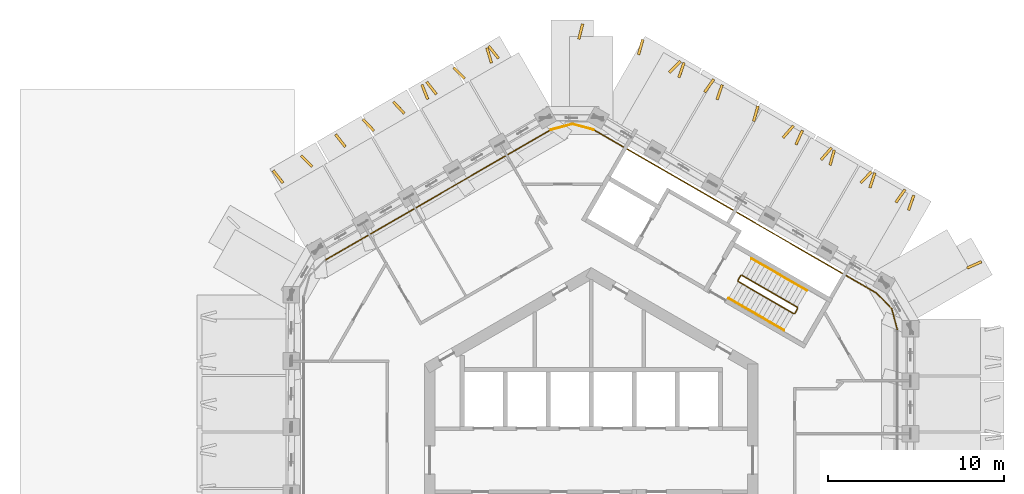
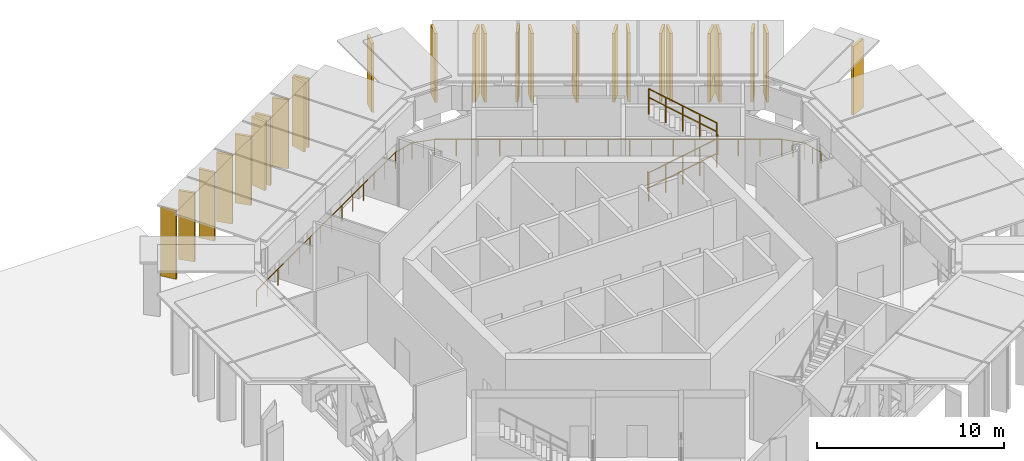
# One storey, part 15 of 15: 26 shading devices, 12 railings.
"""IFC4 building model written with IfcOpenShell, lengths in metres."""

from ifc_helpers import new_model, si_unit, direction, frame, origin, origin_2d, place, context, subcontext, project, spatial, polyline, circle, outline, extrude, material, layer, layer_set, type_object, element, save


model = new_model("IFC4")

# Units and contexts
model_context = context("Model", 3, precision=1e-05, world=origin(), true_north=direction((0.0, 1.0)))
body_context = subcontext(model_context, "Body", "Model", "MODEL_VIEW")
ifc_project = project(units=[si_unit("LENGTHUNIT", "METRE"), si_unit("AREAUNIT", "SQUARE_METRE"), si_unit("VOLUMEUNIT", "CUBIC_METRE"), si_unit("PLANEANGLEUNIT", "RADIAN"), si_unit("MASSUNIT", "GRAM", prefix="KILO")], contexts=[model_context])

# Site, building, storey
site_placement = place(None, origin())
site = spatial("IfcSite", under=ifc_project, at=site_placement, CompositionType="ELEMENT")
building_placement = place(site_placement, origin())
building = spatial("IfcBuilding", under=site, at=building_placement, Name="Ayvan Gate Tower", CompositionType="ELEMENT")
storey_placement = place(building_placement, frame((0.0, 0.0, 214.10009765625)))
storey = spatial("IfcBuildingStorey", under=building, at=storey_placement, Name="L57", CompositionType="ELEMENT", Elevation=214.10009765625)

# Shading devices
ifc_material_1 = material(Name="Bronze anodised aluminium", Category="aluminium")
ifc_layer = layer(ifc_material_1, 0.14990234375)
ifc_layer_set = layer_set([ifc_layer], Name="Bronze anodised aluminium")
shading_device_type = type_object("IfcShadingDeviceType", Name="Bronze fin 900 x 150", PredefinedType="USERDEFINED", material=ifc_layer_set)
shading_device_1_placement = place(storey_placement, frame((-5.21484375, 22.919921875, 0.0), z_axis=(0.784455451683, 0.620185081289, 0.00033056234), x_axis=(-0.62018511518, 0.784455494537, 2.7812e-08)))
element("IfcShadingDevice", 1, at=shading_device_1_placement, inside=storey, type_object=shading_device_type, Name="Bronze fin FG21.1.1", ObjectType="FIN", PredefinedType="USERDEFINED", context=body_context, shape_type="SweptSolid", body=[
    extrude(outline(polyline([(0.0, 0.0), (0.8998056660175114, 2.710505431213761e-20), (0.8999883007166235, 4.500000220830113), (-8.882755608752287e-06, 4.50000027088667), (0.0, 0.0)])), origin(), (0.0, 0.0, -1.0), 0.14990234375),
])
shading_device_2_placement = place(storey_placement, frame((-5.6025390625, 22.635498046875, 0.0), z_axis=(0.957613207125, 0.28805699645, 0.000335165188), x_axis=(-0.288057012625, 0.957613260913, -1.3092e-08)))
element("IfcShadingDevice", 2, at=shading_device_2_placement, inside=storey, type_object=shading_device_type, Name="Bronze fin FG21.1.2", ObjectType="FIN", PredefinedType="USERDEFINED", context=body_context, shape_type="SweptSolid", body=[
    extrude(outline(polyline([(0.0, 0.0), (0.9002072684798921, 0.0), (0.900161583480577, 4.500000264540239), (0.00018810730071271395, 4.500000240972332), (0.0, 0.0)])), origin(), (0.0, 0.0, -1.0), 0.14990234375),
])
shading_device_3_placement = place(storey_placement, frame((-7.149169921875, 21.772216796875, 0.0), z_axis=(0.707174545949, 0.707038916001, 0.000364446617), x_axis=(-0.707038962965, 0.707174592904, 3.4952e-08)))
element("IfcShadingDevice", 3, at=shading_device_3_placement, inside=storey, type_object=shading_device_type, Name="Bronze fin FG21.1.3", ObjectType="FIN", PredefinedType="USERDEFINED", context=body_context, shape_type="SweptSolid", body=[
    extrude(outline(polyline([(0.0, 0.0), (0.9001110205447487, 2.710505431213761e-20), (0.8999383953314426, 4.500000267393211), (-8.278988403593121e-09, 4.500000330308903), (0.0, 0.0)])), origin(), (0.0, 0.0, -1.0), 0.14990234375),
])
shading_device_4_placement = place(storey_placement, frame((-8.751953125, 20.878662109375, 0.0), z_axis=(0.788262791594, 0.615338658889, 0.000325984006), x_axis=(-0.615338691574, 0.788262833483, -3.4854e-08)))
element("IfcShadingDevice", 4, at=shading_device_4_placement, inside=storey, type_object=shading_device_type, Name="Bronze fin FG21.1.5", ObjectType="FIN", PredefinedType="USERDEFINED", context=body_context, shape_type="SweptSolid", body=[
    extrude(outline(polyline([(0.0, 0.0), (0.8999706900864052, 0.0), (0.899951891185126, 4.5000002704642235), (-0.0001690280740268505, 4.50000020772435), (0.0, 0.0)])), origin(), (0.0, 0.0, -1.0), 0.14990234375),
])
shading_device_5_placement = place(storey_placement, frame((-9.2333984375, 20.573974609375, 0.0), z_axis=(0.930095416825, 0.367317834149, 0.000352586105), x_axis=(-0.367317856976, 0.930095474641, -1.7565e-08)))
element("IfcShadingDevice", 5, at=shading_device_5_placement, inside=storey, type_object=shading_device_type, Name="Bronze fin FG21.1.6", ObjectType="FIN", PredefinedType="USERDEFINED", context=body_context, shape_type="SweptSolid", body=[
    extrude(outline(polyline([(0.0, 0.0), (0.9000600002166624, 0.0), (0.899916762170179, 4.5000002955201435), (8.383604400504329e-05, 4.500000263905193), (0.0, 0.0)])), origin(), (0.0, 0.0, -1.0), 0.14990234375),
])
shading_device_6_placement = place(storey_placement, frame((-10.58837890625, 19.797119140625, 0.0), z_axis=(0.729067459009, 0.684441748495, 0.000364872242), x_axis=(-0.684441794046, 0.729067507548, -3.3871e-08)))
element("IfcShadingDevice", 6, at=shading_device_6_placement, inside=storey, type_object=shading_device_type, Name="Bronze fin FG21.1.7", ObjectType="FIN", PredefinedType="USERDEFINED", context=body_context, shape_type="SweptSolid", body=[
    extrude(outline(polyline([(0.0, 0.0), (0.9000439713546455, -2.710505431213761e-20), (0.8999893441887525, 4.500000330029712), (0.00012336783106708016, 4.5000002690655725), (0.0, 0.0)])), origin(), (0.0, 0.0, -1.0), 0.14990234375),
])
shading_device_7_placement = place(storey_placement, frame((-12.317138671875, 18.799072265625, 0.0), z_axis=(0.729131006021, 0.684374080429, 0.000306750236), x_axis=(-0.684374112627, 0.729131040325, 0.0)))
element("IfcShadingDevice", 7, at=shading_device_7_placement, inside=storey, type_object=shading_device_type, Name="Bronze fin FG21.1.9", ObjectType="FIN", PredefinedType="USERDEFINED", context=body_context, shape_type="SweptSolid", body=[
    extrude(outline(polyline([(0.0, 0.0), (0.9000439752325704, 0.0), (0.9000002672953646, 4.5000002117153555), (-4.370793720561556e-05, 4.5000002117153555), (0.0, 0.0)])), origin(), (0.0, 0.0, -1.0), 0.14990234375),
])
shading_device_8_placement = place(storey_placement, frame((-13.9375, 17.884765625, 0.0), z_axis=(0.788145633822, 0.615488708705, 0.000330671585), x_axis=(-0.615488742362, 0.788145676906, 2.7607e-08)))
element("IfcShadingDevice", 8, at=shading_device_8_placement, inside=storey, type_object=shading_device_type, Name="Bronze fin FG21.1.11", ObjectType="FIN", PredefinedType="USERDEFINED", context=body_context, shape_type="SweptSolid", body=[
    extrude(outline(polyline([(0.0, 0.0), (0.8999285028885147, -2.710505431213761e-20), (0.9001027010167089, 4.500000221174214), (-1.8220249956654114e-05, 4.500000270868159), (0.0, 0.0)])), origin(), (0.0, 0.0, -1.0), 0.14990234375),
])
shading_device_9_placement = place(storey_placement, frame((-15.8271484375, 16.761962890625, 0.0), z_axis=(0.707174555315, 0.707038925366, 0.000326087305), x_axis=(-0.707038962949, 0.70717459292, -3.1279e-08)))
element("IfcShadingDevice", 9, at=shading_device_9_placement, inside=storey, type_object=shading_device_type, Name="Bronze fin FG21.1.13", ObjectType="FIN", PredefinedType="USERDEFINED", context=body_context, shape_type="SweptSolid", body=[
    extrude(outline(polyline([(0.0, 0.0), (0.899938403610433, 0.0), (0.900110747336506, 4.5000002674039985), (-2.7320824071239083e-07, 4.500000211099611), (0.0, 0.0)])), origin(), (0.0, 0.0, -1.0), 0.14990234375),
])
shading_device_10_placement = place(storey_placement, frame((-17.48974609375, 15.8330078125, 0.0), z_axis=(0.784455451683, 0.620185081289, 0.00033056234), x_axis=(-0.62018511518, 0.784455494537, 2.7812e-08)))
element("IfcShadingDevice", 10, at=shading_device_10_placement, inside=storey, type_object=shading_device_type, Name="Bronze fin FG21.1.15", ObjectType="FIN", PredefinedType="USERDEFINED", context=body_context, shape_type="SweptSolid", body=[
    extrude(outline(polyline([(0.0, 0.0), (0.8998056660175114, 2.710505431213761e-20), (0.8999883007166235, 4.500000220830113), (-8.882755608752287e-06, 4.50000027088667), (0.0, 0.0)])), origin(), (0.0, 0.0, -1.0), 0.14990234375),
])
shading_device_11_placement = place(storey_placement, frame((21.435546875, 10.8662109375, 0.0), z_axis=(0.404060901373, -0.9147320305, 0.000316794052), x_axis=(0.914732076406, 0.404060921637, -3.9307e-08)))
element("IfcShadingDevice", 11, at=shading_device_11_placement, inside=storey, type_object=shading_device_type, Name="Bronze fin FG21.10.80", ObjectType="FIN", PredefinedType="USERDEFINED", context=body_context, shape_type="SweptSolid", body=[
    extrude(outline(polyline([(0.0, 0.0), (0.8999324399312015, -1.3552527156068805e-20), (0.9000775026432274, 4.500000261186023), (4.64150260793859e-05, 4.5000001904346645), (0.0, 0.0)])), origin(), (0.0, 0.0, -1.0), 0.14990234375),
])
shading_device_12_placement = place(storey_placement, frame((18.14892578125, 14.205322265625, 0.0), z_axis=(0.945308057288, -0.326178748605, 0.000317467004), x_axis=(0.32617876503, 0.945308104929, 4.0704e-08)))
element("IfcShadingDevice", 12, at=shading_device_12_placement, inside=storey, type_object=shading_device_type, Name="Bronze fin FG21.11.81", ObjectType="FIN", PredefinedType="USERDEFINED", context=body_context, shape_type="SweptSolid", body=[
    extrude(outline(polyline([(0.0, 0.0), (0.9000160208110022, -1.3552527156068805e-20), (0.9000796127620871, 4.500000190130549), (-1.604153647109675e-05, 4.5000002634014), (0.0, 0.0)])), origin(), (0.0, 0.0, -1.0), 0.14990234375),
])
shading_device_13_placement = place(storey_placement, frame((17.415283203125, 14.62841796875, 0.0), z_axis=(0.815853820737, -0.578258093687, 0.000346804551), x_axis=(0.578258128462, 0.8158538698, 0.0)))
element("IfcShadingDevice", 13, at=shading_device_13_placement, inside=storey, type_object=shading_device_type, Name="Bronze fin FG21.11.82", ObjectType="FIN", PredefinedType="USERDEFINED", context=body_context, shape_type="SweptSolid", body=[
    extrude(outline(polyline([(0.0, 0.0), (0.90013055914047, 2.710505431213761e-20), (0.9002214099307265, 4.500000270615168), (9.085079025638774e-05, 4.500000270615168), (0.0, 0.0)])), origin(), (0.0, 0.0, -1.0), 0.14990234375),
])
shading_device_14_placement = place(storey_placement, frame((15.942138671875, 15.47900390625, 0.0), z_axis=(0.945991063191, -0.324192520939, 0.000343116939), x_axis=(0.324192540022, 0.945991118877, 0.0)))
element("IfcShadingDevice", 14, at=shading_device_14_placement, inside=storey, type_object=shading_device_type, Name="Bronze fin FG21.11.83", ObjectType="FIN", PredefinedType="USERDEFINED", context=body_context, shape_type="SweptSolid", body=[
    extrude(outline(polyline([(0.0, 0.0), (0.8999221476685185, -1.3552527156068805e-20), (0.8999091659784844, 4.500000264890801), (-1.298169003423593e-05, 4.500000264890801), (0.0, 0.0)])), origin(), (0.0, 0.0, -1.0), 0.14990234375),
])
shading_device_15_placement = place(storey_placement, frame((15.396728515625, 15.732177734375, 0.0), z_axis=(0.712376878809, -0.701797024173, 0.000345544297), x_axis=(0.70179706607, 0.712376921338, 0.0)))
element("IfcShadingDevice", 15, at=shading_device_15_placement, inside=storey, type_object=shading_device_type, Name="Bronze fin FG21.11.84", ObjectType="FIN", PredefinedType="USERDEFINED", context=body_context, shape_type="SweptSolid", body=[
    extrude(outline(polyline([(0.0, 0.0), (0.8999635755267725, 5.421010862427522e-20), (0.8998025702423484, 4.500000268651962), (-0.00016100528442405186, 4.500000268651962), (0.0, 0.0)])), origin(), (0.0, 0.0, -1.0), 0.14990234375),
])
shading_device_16_placement = place(storey_placement, frame((13.677490234375, 16.7685546875, 0.0), z_axis=(0.963574180146, -0.267440996939, 0.000335427874), x_axis=(0.26744101198, 0.963574234354, 1.2164e-08)))
element("IfcShadingDevice", 16, at=shading_device_16_placement, inside=storey, type_object=shading_device_type, Name="Bronze fin FG21.11.85", ObjectType="FIN", PredefinedType="USERDEFINED", context=body_context, shape_type="SweptSolid", body=[
    extrude(outline(polyline([(0.0, 0.0), (0.9002138897637795, 0.0), (0.9000574328245955, 4.500000242203026), (7.879067662512824e-05, 4.500000264101328), (0.0, 0.0)])), origin(), (0.0, 0.0, -1.0), 0.14990234375),
])
shading_device_17_placement = place(storey_placement, frame((13.15673828125, 17.054931640625, 0.0), z_axis=(0.755577136433, -0.655059603561, 0.000326624106), x_axis=(0.655059638511, 0.755577176729, -3.3474e-08)))
element("IfcShadingDevice", 17, at=shading_device_17_placement, inside=storey, type_object=shading_device_type, Name="Bronze fin FG21.11.86", ObjectType="FIN", PredefinedType="USERDEFINED", context=body_context, shape_type="SweptSolid", body=[
    extrude(outline(polyline([(0.0, 0.0), (0.8999637363756005, 2.710505431213761e-20), (0.8999018207299058, 4.500000270161087), (9.801102386350768e-05, 4.5000002099150445), (0.0, 0.0)])), origin(), (0.0, 0.0, -1.0), 0.14990234375),
])
shading_device_18_placement = place(storey_placement, frame((11.726318359375, 17.92919921875, 0.0), z_axis=(0.908419328227, -0.418060082066, 0.000303127542), x_axis=(0.418060101268, 0.908419369965, 1.7188e-08)))
element("IfcShadingDevice", 18, at=shading_device_18_placement, inside=storey, type_object=shading_device_type, Name="Bronze fin FG21.11.87", ObjectType="FIN", PredefinedType="USERDEFINED", context=body_context, shape_type="SweptSolid", body=[
    extrude(outline(polyline([(0.0, 0.0), (0.9000310268718525, -1.3552527156068805e-20), (0.899964341089743, 4.500000191275926), (0.00015509629063580402, 4.500000222210963), (0.0, 0.0)])), origin(), (0.0, 0.0, -1.0), 0.14990234375),
])
shading_device_19_placement = place(storey_placement, frame((10.985107421875, 18.308349609375, 0.0), z_axis=(0.75494118414, -0.655792422802, 0.000326627877), x_axis=(0.655792457792, 0.754941224403, -3.3442e-08)))
element("IfcShadingDevice", 19, at=shading_device_19_placement, inside=storey, type_object=shading_device_type, Name="Bronze fin FG21.11.88", ObjectType="FIN", PredefinedType="USERDEFINED", context=body_context, shape_type="SweptSolid", body=[
    extrude(outline(polyline([(0.0, 0.0), (0.900075095325843, 0.0), (0.9000116642218382, 4.500000270141573), (9.667447651077346e-05, 4.500000209945548), (0.0, 0.0)])), origin(), (0.0, 0.0, -1.0), 0.14990234375),
])
shading_device_20_placement = place(storey_placement, frame((9.331298828125, 19.27783203125, 0.0), z_axis=(0.963644050219, -0.267189131447, 0.000335430121), x_axis=(0.267189146482, 0.96364410443, -1.2157e-08)))
element("IfcShadingDevice", 20, at=shading_device_20_placement, inside=storey, type_object=shading_device_type, Name="Bronze fin FG21.11.89", ObjectType="FIN", PredefinedType="USERDEFINED", context=body_context, shape_type="SweptSolid", body=[
    extrude(outline(polyline([(0.0, 0.0), (0.8999133711472782, -1.3552527156068805e-20), (0.8999924554368754, 4.5000002640964), (-0.00015618038433584178, 4.500000242212854), (0.0, 0.0)])), origin(), (0.0, 0.0, -1.0), 0.14990234375),
])
shading_device_21_placement = place(storey_placement, frame((7.2431640625, 20.50146484375, 0.0), z_axis=(0.9457959629, -0.324761264369, 0.000343115142), x_axis=(0.324761283486, 0.945796018573, 0.0)))
element("IfcShadingDevice", 21, at=shading_device_21_placement, inside=storey, type_object=shading_device_type, Name="Bronze fin FG21.11.91", ObjectType="FIN", PredefinedType="USERDEFINED", context=body_context, shape_type="SweptSolid", body=[
    extrude(outline(polyline([(0.0, 0.0), (0.8998496526069817, 0.0), (0.8998357425328193, 4.500000264888026), (-1.3910074162465618e-05, 4.500000264888026), (0.0, 0.0)])), origin(), (0.0, 0.0, -1.0), 0.14990234375),
])
shading_device_22_placement = place(storey_placement, frame((6.52880859375, 20.91357421875, 0.0), z_axis=(0.81524271022, -0.57911934331, 0.000331116062), x_axis=(0.57911937505, 0.815242754915, 2.6004e-08)))
element("IfcShadingDevice", 22, at=shading_device_22_placement, inside=storey, type_object=shading_device_type, Name="Bronze fin FG21.11.92", ObjectType="FIN", PredefinedType="USERDEFINED", context=body_context, shape_type="SweptSolid", body=[
    extrude(outline(polyline([(0.0, 0.0), (0.9001561491715795, -2.710505431213761e-20), (0.9000464349859418, 4.500000223280348), (8.931969007407262e-05, 4.500000270090535), (0.0, 0.0)])), origin(), (0.0, 0.0, -1.0), 0.14990234375),
])
shading_device_23_placement = place(storey_placement, frame((5.067138671875, 21.758544921875, 0.0), z_axis=(0.944831113712, -0.327557728914, 0.000317474315), x_axis=(0.327557745409, 0.944831161331, 4.0687e-08)))
element("IfcShadingDevice", 23, at=shading_device_23_placement, inside=storey, type_object=shading_device_type, Name="Bronze fin FG21.11.93", ObjectType="FIN", PredefinedType="USERDEFINED", context=body_context, shape_type="SweptSolid", body=[
    extrude(outline(polyline([(0.0, 0.0), (0.8999534017640209, 0.0), (0.9000150774313729, 4.5000001901587146), (-1.8294485335861484e-05, 4.500000263394299), (0.0, 0.0)])), origin(), (0.0, 0.0, -1.0), 0.14990234375),
])
shading_device_24_placement = place(storey_placement, frame((4.5078125, 22.019287109375, 0.0), z_axis=(0.713250734432, -0.700908879168, 0.000364601976), x_axis=(0.700908925747, 0.713250781849, 3.4656e-08)))
element("IfcShadingDevice", 24, at=shading_device_24_placement, inside=storey, type_object=shading_device_type, Name="Bronze fin FG21.11.94", ObjectType="FIN", PredefinedType="USERDEFINED", context=body_context, shape_type="SweptSolid", body=[
    extrude(outline(polyline([(0.0, 0.0), (0.9001460499006525, 5.421010862427522e-20), (0.8999871381030228, 4.500000267912985), (1.5221694032719294e-05, 4.500000330297765), (0.0, 0.0)])), origin(), (0.0, 0.0, -1.0), 0.14990234375),
])
shading_device_25_placement = place(storey_placement, frame((2.7734375, 23.06396484375, 0.0), z_axis=(0.963783623165, -0.266685236192, 0.000335434548), x_axis=(0.266685251199, 0.963783677385, -1.2136e-08)))
element("IfcShadingDevice", 25, at=shading_device_25_placement, inside=storey, type_object=shading_device_type, Name="Bronze fin FG21.11.95", ObjectType="FIN", PredefinedType="USERDEFINED", context=body_context, shape_type="SweptSolid", body=[
    extrude(outline(polyline([(0.0, 0.0), (0.8997830136715362, -1.3552527156068805e-20), (0.8998629043343878, 4.500000264082603), (-0.00015540808650987064, 4.500000242240039), (0.0, 0.0)])), origin(), (0.0, 0.0, -1.0), 0.14990234375),
])
shading_device_26_placement = place(storey_placement, frame((-0.631103515625, 23.94921875, 0.0), z_axis=(0.969468578199, -0.245215331475, 0.000342189786), x_axis=(0.245215345832, 0.969468634959, 0.0)))
element("IfcShadingDevice", 26, at=shading_device_26_placement, inside=storey, type_object=shading_device_type, Name="Bronze fin FG21.12.96", ObjectType="FIN", PredefinedType="USERDEFINED", context=body_context, shape_type="SweptSolid", body=[
    extrude(outline(polyline([(0.0, 0.0), (0.9000379819272869, -1.3552527156068805e-20), (0.9001521531174546, 4.500000263461184), (0.00011417119016770025, 4.500000263461184), (0.0, 0.0)])), origin(), (0.0, 0.0, -1.0), 0.14990234375),
])

# Railings
ifc_material_2 = material(Name="Stainless steel balustrade", Category="steel")
railing_type_1 = type_object("IfcRailingType", Name="RL-GUARD-1100", PredefinedType="GUARDRAIL", material=ifc_material_2)
railing_1_placement = place(storey_placement, frame((8.381103515625, 10.16650390625, 0.17138671875)))
element("IfcRailing", 27, at=railing_1_placement, inside=storey, type_object=railing_type_1, Name="L57 STS1 stair guard 1", PredefinedType="GUARDRAIL", context=body_context, shape_type="SweptSolid", body=[
    extrude(circle(Radius=0.02392578125, at=origin_2d()), frame((0.0, 0.0, 1.076171875), z_axis=(0.738592093898, -0.426440834883, 0.522139764025), x_axis=(0.500012742938, 0.866018046521, 0.0)), (0.0, 0.0, 1.0), 4.26806640625),
    extrude(circle(Radius=0.02099609375, at=origin_2d()), origin(), (0.0, 0.0, 1.0), 1.052001953125),
    extrude(circle(Radius=0.02099609375, at=origin_2d()), frame((0.7880859375, -0.455078125, 0.55712890625)), (0.0, 0.0, 1.0), 1.052001953125),
    extrude(circle(Radius=0.02099609375, at=origin_2d()), frame((1.576171875, -0.91015625, 1.1142578125)), (0.0, 0.0, 1.0), 1.052001953125),
    extrude(circle(Radius=0.02099609375, at=origin_2d()), frame((2.3642578125, -1.364990234375, 1.67138671875)), (0.0, 0.0, 1.0), 1.052001953125),
    extrude(circle(Radius=0.02099609375, at=origin_2d()), frame((3.15234375, -1.820068359375, 2.228515625)), (0.0, 0.0, 1.0), 1.052001953125),
])
railing_2_placement = place(storey_placement, frame((11.601806640625, 8.36474609375, 2.39990234375)))
element("IfcRailing", 28, at=railing_2_placement, inside=storey, type_object=railing_type_1, Name="L57 STS1 stair guard 2", PredefinedType="GUARDRAIL", context=body_context, shape_type="SweptSolid", body=[
    extrude(circle(Radius=0.02392578125, at=origin_2d()), frame((0.0, 0.0, 1.076171875), z_axis=(0.499949632511, 0.866054481515, 0.0), x_axis=(-0.866054481515, 0.499949632511, 0.0)), (0.0, 0.0, 1.0), 0.31005859375),
    extrude(circle(Radius=0.02099609375, at=origin_2d()), origin(), (0.0, 0.0, 1.0), 1.052001953125),
    extrude(circle(Radius=0.02099609375, at=origin_2d()), frame((0.155029296875, 0.2685546875, 0.0)), (0.0, 0.0, 1.0), 1.052001953125),
])
railing_3_placement = place(storey_placement, frame((11.738525390625, 8.70166015625, 2.5712890625)))
element("IfcRailing", 29, at=railing_3_placement, inside=storey, type_object=railing_type_1, Name="L57 STS1 stair guard 3", PredefinedType="GUARDRAIL", context=body_context, shape_type="SweptSolid", body=[
    extrude(circle(Radius=0.02392578125, at=origin_2d()), frame((0.0, 0.0, 1.076171875), z_axis=(-0.738610110021, 0.426394033464, 0.52215250033), x_axis=(-0.499962438169, -0.866047089031, 0.0)), (0.0, 0.0, 1.0), 4.267822265625),
    extrude(circle(Radius=0.02099609375, at=origin_2d()), origin(), (0.0, 0.0, 1.0), 1.052001953125),
    extrude(circle(Radius=0.02099609375, at=origin_2d()), frame((-0.7880859375, 0.455078125, 0.55712890625)), (0.0, 0.0, 1.0), 1.052001953125),
    extrude(circle(Radius=0.02099609375, at=origin_2d()), frame((-1.576171875, 0.909912109375, 1.1142578125)), (0.0, 0.0, 1.0), 1.052001953125),
    extrude(circle(Radius=0.02099609375, at=origin_2d()), frame((-2.3642578125, 1.36474609375, 1.67138671875)), (0.0, 0.0, 1.0), 1.052001953125),
    extrude(circle(Radius=0.02099609375, at=origin_2d()), frame((-3.15234375, 1.81982421875, 2.228515625)), (0.0, 0.0, 1.0), 1.052001953125),
])
railing_4_placement = place(storey_placement, frame((8.36279296875, 10.23486328125, 0.0)))
element("IfcRailing", 30, at=railing_4_placement, inside=storey, type_object=railing_type_1, Name="L57 STS1 stair guard 4", PredefinedType="GUARDRAIL", context=body_context, shape_type="SweptSolid", body=[
    extrude(circle(Radius=0.02392578125, at=origin_2d()), frame((0.0, 0.0, 1.076171875), z_axis=(0.500290723946, 0.86585748916, 0.0), x_axis=(-0.86585748916, 0.500290723946, 0.0)), (0.0, 0.0, 1.0), 0.309814453125),
    extrude(circle(Radius=0.02099609375, at=origin_2d()), origin(), (0.0, 0.0, 1.0), 1.052001953125),
    extrude(circle(Radius=0.02099609375, at=origin_2d()), frame((0.155029296875, 0.268310546875, 0.0)), (0.0, 0.0, 1.0), 1.052001953125),
])
railing_type_2 = type_object("IfcRailingType", Name="RL-HANDRAIL-900", PredefinedType="HANDRAIL", material=ifc_material_2)
railing_5_placement = place(storey_placement, frame((7.8310546875, 9.2138671875, 0.17138671875)))
element("IfcRailing", 31, at=railing_5_placement, inside=storey, type_object=railing_type_2, Name="L57 STS1 stair handrail 1", PredefinedType="HANDRAIL", context=body_context, shape_type="SweptSolid", body=[
    extrude(circle(Radius=0.02392578125, at=origin_2d()), frame((0.0, 0.0, 0.8759765625), z_axis=(0.738610110021, -0.426394033464, 0.52215250033), x_axis=(0.499962438169, 0.866047089031, 0.0)), (0.0, 0.0, 1.0), 2.134033203125),
    extrude(circle(Radius=0.02099609375, at=origin_2d()), origin(), (0.0, 0.0, 1.0), 0.851806640625),
    extrude(circle(Radius=0.02099609375, at=origin_2d()), frame((0.7880859375, -0.455078125, 0.55712890625)), (0.0, 0.0, 1.0), 0.851806640625),
    extrude(circle(Radius=0.02099609375, at=origin_2d()), frame((1.576171875, -0.909912109375, 1.1142578125)), (0.0, 0.0, 1.0), 0.851806640625),
])
railing_6_placement = place(storey_placement, frame((9.4072265625, 8.303955078125, 1.28564453125)))
element("IfcRailing", 32, at=railing_6_placement, inside=storey, type_object=railing_type_2, Name="L57 STS1 stair handrail 2", PredefinedType="HANDRAIL", context=body_context, shape_type="SweptSolid", body=[
    extrude(circle(Radius=0.02392578125, at=origin_2d()), frame((0.0, 0.0, 0.8759765625), z_axis=(0.738574076676, -0.426487632876, 0.522127026944), x_axis=(0.500063042646, 0.865989003036, 0.0)), (0.0, 0.0, 1.0), 2.134033203125),
    extrude(circle(Radius=0.02099609375, at=origin_2d()), origin(), (0.0, 0.0, 1.0), 0.851806640625),
    extrude(circle(Radius=0.02099609375, at=origin_2d()), frame((0.7880859375, -0.455078125, 0.55712890625)), (0.0, 0.0, 1.0), 0.851806640625),
    extrude(circle(Radius=0.02099609375, at=origin_2d()), frame((1.576171875, -0.91015625, 1.1142578125)), (0.0, 0.0, 1.0), 0.851806640625),
])
for number, where, name in (
    (33, (12.288330078125, 9.654296875, 2.5712890625), "L57 STS1 stair handrail 3"),
    (34, (10.712158203125, 10.564208984375, 3.685546875), "L57 STS1 stair handrail 4"),
):
    element("IfcRailing", number, at=place(storey_placement, frame(where)), inside=storey, type_object=railing_type_2, Name=name, PredefinedType="HANDRAIL", context=body_context, shape_type="SweptSolid", body=[
        extrude(circle(Radius=0.02392578125, at=origin_2d()), frame((0.0, 0.0, 0.8759765625), z_axis=(-0.738610110021, 0.426394033464, 0.52215250033), x_axis=(-0.499962438169, -0.866047089031, 0.0)), (0.0, 0.0, 1.0), 2.134033203125),
        extrude(circle(Radius=0.02099609375, at=origin_2d()), origin(), (0.0, 0.0, 1.0), 0.851806640625),
        extrude(circle(Radius=0.02099609375, at=origin_2d()), frame((-0.7880859375, 0.455078125, 0.55712890625)), (0.0, 0.0, 1.0), 0.851806640625),
        extrude(circle(Radius=0.02099609375, at=origin_2d()), frame((-1.576171875, 0.909912109375, 1.1142578125)), (0.0, 0.0, 1.0), 0.851806640625),
    ])
ifc_material_3 = material(Name="Stainless steel 316 and laminated glass", Category="steel")
railing_type_3 = type_object("IfcRailingType", Name="Refuge band guard 1100", PredefinedType="GUARDRAIL", material=ifc_material_3)
railing_7_placement = place(storey_placement, frame((-2.2822265625, 18.81640625, 0.0)))
element("IfcRailing", 35, at=railing_7_placement, inside=storey, type_object=railing_type_3, Name="Refuge band guard L57.1", PredefinedType="GUARDRAIL", context=body_context, shape_type="SweptSolid", body=[
    extrude(circle(Radius=0.02490234375, at=origin_2d()), frame((0.0, 0.0, 1.0751953125), z_axis=(-0.866026937189, -0.499997344056, 0.0), x_axis=(0.499997344056, -0.866026937189, 0.0)), (0.0, 0.0, 1.0), 14.86328125),
    extrude(circle(Radius=0.02001953125, at=origin_2d()), origin(), (0.0, 0.0, 1.0), 1.050048828125),
    extrude(circle(Radius=0.02001953125, at=origin_2d()), frame((-0.990234375, -0.57177734375, 0.0)), (0.0, 0.0, 1.0), 1.050048828125),
    extrude(circle(Radius=0.02001953125, at=origin_2d()), frame((-1.980224609375, -1.143310546875, 0.0)), (0.0, 0.0, 1.0), 1.050048828125),
    extrude(circle(Radius=0.02001953125, at=origin_2d()), frame((-2.970458984375, -1.715087890625, 0.0)), (0.0, 0.0, 1.0), 1.050048828125),
    extrude(circle(Radius=0.02001953125, at=origin_2d()), frame((-3.960693359375, -2.28662109375, 0.0)), (0.0, 0.0, 1.0), 1.050048828125),
    extrude(circle(Radius=0.02001953125, at=origin_2d()), frame((-4.95068359375, -2.8583984375, 0.0)), (0.0, 0.0, 1.0), 1.050048828125),
    extrude(circle(Radius=0.02001953125, at=origin_2d()), frame((-5.94091796875, -3.429931640625, 0.0)), (0.0, 0.0, 1.0), 1.050048828125),
    extrude(circle(Radius=0.02001953125, at=origin_2d()), frame((-6.93115234375, -4.001708984375, 0.0)), (0.0, 0.0, 1.0), 1.050048828125),
    extrude(circle(Radius=0.02001953125, at=origin_2d()), frame((-7.92138671875, -4.5732421875, 0.0)), (0.0, 0.0, 1.0), 1.050048828125),
    extrude(circle(Radius=0.02001953125, at=origin_2d()), frame((-8.911376953125, -5.14501953125, 0.0)), (0.0, 0.0, 1.0), 1.050048828125),
    extrude(circle(Radius=0.02001953125, at=origin_2d()), frame((-9.901611328125, -5.716552734375, 0.0)), (0.0, 0.0, 1.0), 1.050048828125),
    extrude(circle(Radius=0.02001953125, at=origin_2d()), frame((-10.891845703125, -6.288330078125, 0.0)), (0.0, 0.0, 1.0), 1.050048828125),
    extrude(circle(Radius=0.02001953125, at=origin_2d()), frame((-11.8818359375, -6.85986328125, 0.0)), (0.0, 0.0, 1.0), 1.050048828125),
    extrude(circle(Radius=0.02001953125, at=origin_2d()), frame((-12.8720703125, -7.431640625, 0.0)), (0.0, 0.0, 1.0), 1.050048828125),
])
railing_8_placement = place(storey_placement, frame((17.4365234375, 7.431640625, 0.0)))
element("IfcRailing", 36, at=railing_8_placement, inside=storey, type_object=railing_type_3, Name="Refuge band guard L57.10", PredefinedType="GUARDRAIL", context=body_context, shape_type="SweptSolid", body=[
    extrude(circle(Radius=0.02490234375, at=origin_2d()), frame((0.0, 0.0, 1.0751953125), z_axis=(-0.258911363806, 0.965901084838, 0.0), x_axis=(-0.965901084838, -0.258911363806, 0.0)), (0.0, 0.0, 1.0), 1.253173828125),
    extrude(circle(Radius=0.02490234375, at=origin_2d()), frame((-0.324462890625, 1.21044921875, 1.0751953125), z_axis=(-0.707009363432, 0.707204185522, 0.0), x_axis=(-0.707204185522, -0.707009363432, 0.0)), (0.0, 0.0, 1.0), 1.253173828125),
    extrude(circle(Radius=0.02001953125, at=origin_2d()), origin(), (0.0, 0.0, 1.0), 1.050048828125),
    extrude(circle(Radius=0.02001953125, at=origin_2d()), frame((-0.162109375, 0.605224609375, 0.0)), (0.0, 0.0, 1.0), 1.050048828125),
    extrude(circle(Radius=0.02001953125, at=origin_2d()), frame((-0.324462890625, 1.21044921875, 0.0)), (0.0, 0.0, 1.0), 1.050048828125),
    extrude(circle(Radius=0.02001953125, at=origin_2d()), frame((-0.767578125, 1.653564453125, 0.0)), (0.0, 0.0, 1.0), 1.050048828125),
    extrude(circle(Radius=0.02001953125, at=origin_2d()), frame((-1.21044921875, 2.0966796875, 0.0)), (0.0, 0.0, 1.0), 1.050048828125),
])
railing_9_placement = place(storey_placement, frame((16.22607421875, 9.5283203125, 0.0)))
element("IfcRailing", 37, at=railing_9_placement, inside=storey, type_object=railing_type_3, Name="Refuge band guard L57.11", PredefinedType="GUARDRAIL", context=body_context, shape_type="SweptSolid", body=[
    extrude(circle(Radius=0.02490234375, at=origin_2d()), frame((0.0, 0.0, 1.0751953125), z_axis=(-0.866024940756, 0.500000801987, 0.0), x_axis=(-0.500000801987, -0.866024940756, 0.0)), (0.0, 0.0, 1.0), 18.576171875),
    extrude(circle(Radius=0.02001953125, at=origin_2d()), origin(), (0.0, 0.0, 1.0), 1.050048828125),
    extrude(circle(Radius=0.02001953125, at=origin_2d()), frame((-1.00537109375, 0.58056640625, 0.0)), (0.0, 0.0, 1.0), 1.050048828125),
    extrude(circle(Radius=0.02001953125, at=origin_2d()), frame((-2.010986328125, 1.1611328125, 0.0)), (0.0, 0.0, 1.0), 1.050048828125),
    extrude(circle(Radius=0.02001953125, at=origin_2d()), frame((-3.016357421875, 1.741455078125, 0.0)), (0.0, 0.0, 1.0), 1.050048828125),
    extrude(circle(Radius=0.02001953125, at=origin_2d()), frame((-4.02197265625, 2.322021484375, 0.0)), (0.0, 0.0, 1.0), 1.050048828125),
    extrude(circle(Radius=0.02001953125, at=origin_2d()), frame((-5.02734375, 2.902587890625, 0.0)), (0.0, 0.0, 1.0), 1.050048828125),
    extrude(circle(Radius=0.02001953125, at=origin_2d()), frame((-6.03271484375, 3.48291015625, 0.0)), (0.0, 0.0, 1.0), 1.050048828125),
    extrude(circle(Radius=0.02001953125, at=origin_2d()), frame((-7.038330078125, 4.0634765625, 0.0)), (0.0, 0.0, 1.0), 1.050048828125),
    extrude(circle(Radius=0.02001953125, at=origin_2d()), frame((-8.043701171875, 4.64404296875, 0.0)), (0.0, 0.0, 1.0), 1.050048828125),
    extrude(circle(Radius=0.02001953125, at=origin_2d()), frame((-9.049072265625, 5.224609375, 0.0)), (0.0, 0.0, 1.0), 1.050048828125),
    extrude(circle(Radius=0.02001953125, at=origin_2d()), frame((-10.0546875, 5.80517578125, 0.0)), (0.0, 0.0, 1.0), 1.050048828125),
    extrude(circle(Radius=0.02001953125, at=origin_2d()), frame((-11.06005859375, 6.385498046875, 0.0)), (0.0, 0.0, 1.0), 1.050048828125),
    extrude(circle(Radius=0.02001953125, at=origin_2d()), frame((-12.0654296875, 6.966064453125, 0.0)), (0.0, 0.0, 1.0), 1.050048828125),
    extrude(circle(Radius=0.02001953125, at=origin_2d()), frame((-13.071044921875, 7.546630859375, 0.0)), (0.0, 0.0, 1.0), 1.050048828125),
    extrude(circle(Radius=0.02001953125, at=origin_2d()), frame((-14.076416015625, 8.126953125, 0.0)), (0.0, 0.0, 1.0), 1.050048828125),
    extrude(circle(Radius=0.02001953125, at=origin_2d()), frame((-15.08203125, 8.70751953125, 0.0)), (0.0, 0.0, 1.0), 1.050048828125),
    extrude(circle(Radius=0.02001953125, at=origin_2d()), frame((-16.08740234375, 9.2880859375, 0.0)), (0.0, 0.0, 1.0), 1.050048828125),
])
railing_10_placement = place(storey_placement, frame((0.138671875, 18.81640625, 0.0)))
element("IfcRailing", 38, at=railing_10_placement, inside=storey, type_object=railing_type_3, Name="Refuge band guard L57.12", PredefinedType="GUARDRAIL", context=body_context, shape_type="SweptSolid", body=[
    extrude(circle(Radius=0.02490234375, at=origin_2d()), frame((0.0, 0.0, 1.0751953125), z_axis=(-0.965949790486, 0.258729592934, 0.0), x_axis=(-0.258729592934, -0.965949790486, 0.0)), (0.0, 0.0, 1.0), 1.253173828125),
    extrude(circle(Radius=0.02490234375, at=origin_2d()), frame((-1.21044921875, 0.32421875, 1.0751953125), z_axis=(-0.965949790486, -0.258729592934, 0.0), x_axis=(0.258729592934, -0.965949790486, 0.0)), (0.0, 0.0, 1.0), 1.253173828125),
    extrude(circle(Radius=0.02001953125, at=origin_2d()), origin(), (0.0, 0.0, 1.0), 1.050048828125),
    extrude(circle(Radius=0.02001953125, at=origin_2d()), frame((-0.605224609375, 0.162109375, 0.0)), (0.0, 0.0, 1.0), 1.050048828125),
    extrude(circle(Radius=0.02001953125, at=origin_2d()), frame((-1.21044921875, 0.32421875, 0.0)), (0.0, 0.0, 1.0), 1.050048828125),
    extrude(circle(Radius=0.02001953125, at=origin_2d()), frame((-1.815673828125, 0.162109375, 0.0)), (0.0, 0.0, 1.0), 1.050048828125),
    extrude(circle(Radius=0.02001953125, at=origin_2d()), frame((-2.4208984375, 0.0, 0.0)), (0.0, 0.0, 1.0), 1.050048828125),
])

save(model, "model.ifc")
